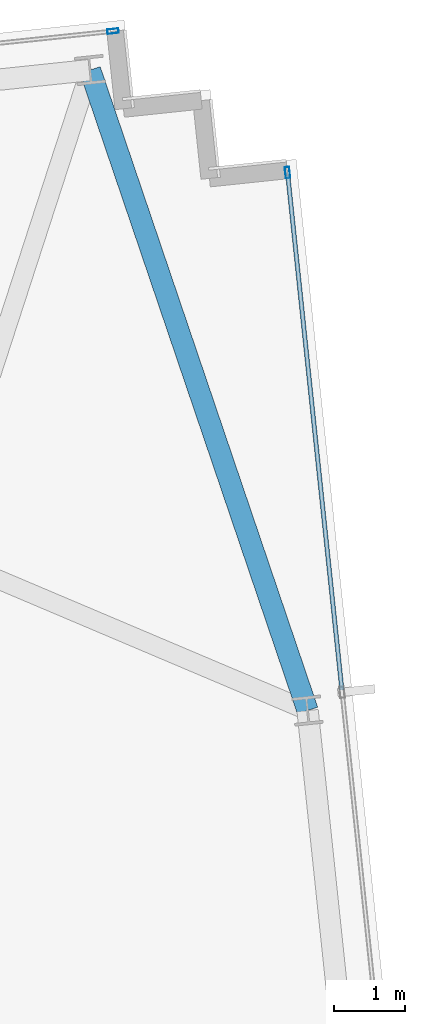
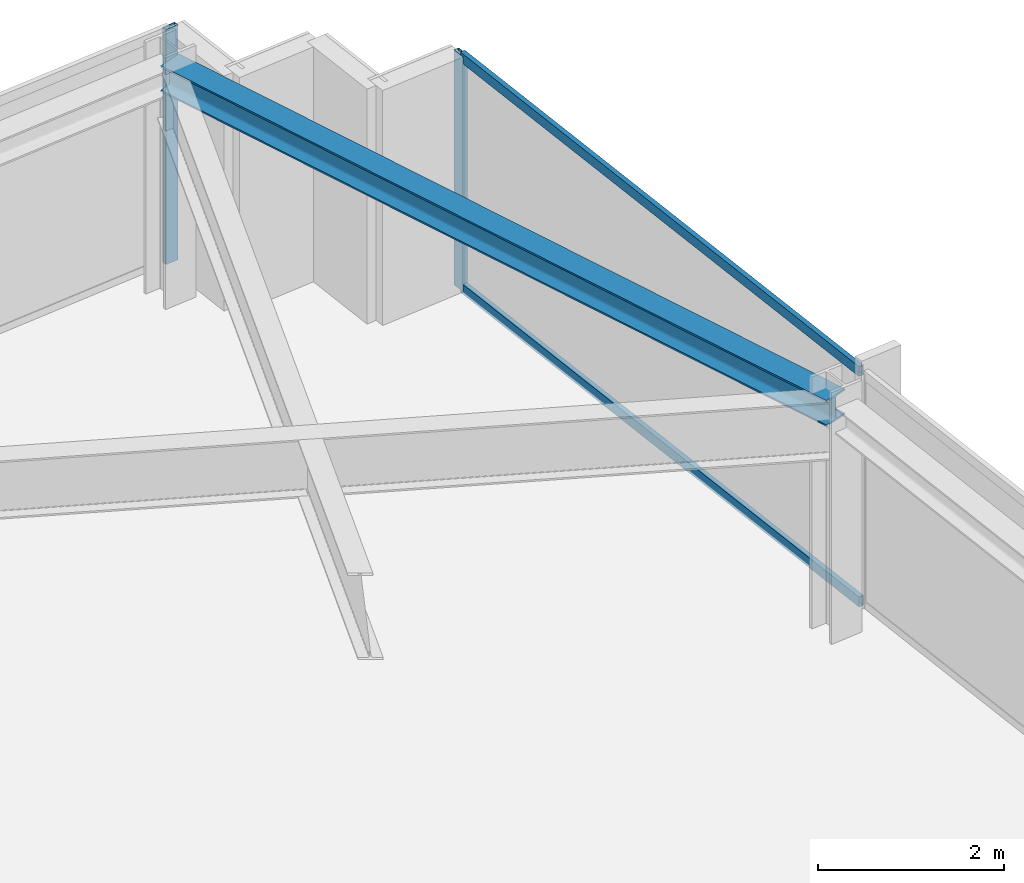
# One storey, part 25 of 33: 4 members, 1 beam, 2 elements without a shape of their own.
"""IFC4 building model written with IfcOpenShell, lengths in metres."""

import ifcopenshell
import ifcopenshell.guid

model = None  # the IFC model being written
_history = None  # IfcOwnerHistory: only IFC2X3 demands one
_inside = {}  # id of a spatial element -> (the spatial element, [elements in it])
_under = {}  # id of a project, library or spatial element -> (it, [spatial elements below it])
_declared = {}  # id of a project -> (the project, [libraries it declares])
_typed = {}  # id of a type object -> (the type object, [elements of that type])
_made_of = {}  # id of a material, layer set ... -> (it, [elements and type objects made of it])


def new_model(schema):
    """Start an empty IFC model of exactly this schema.

    Asked for "IFC4X3", IfcOpenShell would pick the latest addendum, in which some entities
    have other attributes; the version numbers below select the first issue.
    IFC2X3 requires an IfcOwnerHistory on every rooted entity: one is made here for all.
    """
    global model, _history
    if schema == "IFC4X3":
        model = ifcopenshell.file(schema_version=(4, 3, 0, 0))
    else:
        model = ifcopenshell.file(schema=schema)
    _inside.clear()
    _under.clear()
    _declared.clear()
    _typed.clear()
    _made_of.clear()
    _history = None
    if model.schema == "IFC2X3":
        org = make("IfcOrganization", Name="unknown")
        user = make(
            "IfcPersonAndOrganization",
            ThePerson=make("IfcPerson", FamilyName="unknown"),
            TheOrganization=org,
        )
        app = make(
            "IfcApplication",
            ApplicationDeveloper=org,
            Version="unknown",
            ApplicationFullName="unknown",
            ApplicationIdentifier="unknown",
        )
        _history = make(
            "IfcOwnerHistory",
            OwningUser=user,
            OwningApplication=app,
            ChangeAction="ADDED",
            CreationDate=0,
        )
    return model


def make(cls, **values):
    """One entity of the class cls with the attributes given. An attribute that is None is left unset."""
    return model.create_entity(
        cls, **{name: value for name, value in values.items() if value is not None}
    )


def rooted(cls, **values):
    """An entity with a GlobalId (a new one), such as an element, a storey or a relation."""
    return make(cls, GlobalId=ifcopenshell.guid.new(), OwnerHistory=_history, **values)


def si_unit(unit_type, name, prefix=None):
    """IfcSIUnit, for example si_unit("LENGTHUNIT", "METRE", prefix="MILLI")."""
    return make("IfcSIUnit", UnitType=unit_type, Prefix=prefix, Name=name)


def assignment(units):
    """IfcUnitAssignment: the units of a project."""
    return None if units is None else make("IfcUnitAssignment", Units=units)


def point(xyz):
    """IfcCartesianPoint."""
    return None if xyz is None else make("IfcCartesianPoint", Coordinates=xyz)


def direction(xyz):
    """IfcDirection."""
    return None if xyz is None else make("IfcDirection", DirectionRatios=xyz)


def frame(location, z_axis=None, x_axis=None):
    """IfcAxis2Placement3D, a coordinate frame: its origin and axes. An axis left out is left unset."""
    return make(
        "IfcAxis2Placement3D",
        Location=point(location),
        Axis=direction(z_axis),
        RefDirection=direction(x_axis),
    )


def frame_2d(location, x_axis=None):
    """IfcAxis2Placement2D, a coordinate frame in the plane: its origin and x axis."""
    return make(
        "IfcAxis2Placement2D", Location=point(location), RefDirection=direction(x_axis)
    )


def origin():
    """The frame at (0, 0, 0) with its axes left unset."""
    return frame((0.0, 0.0, 0.0))


def origin_2d():
    """The frame at (0, 0) in the plane with its x axis left unset."""
    return frame_2d((0.0, 0.0))


def place(relative_to, where):
    """IfcLocalPlacement: puts the frame where relative to a parent placement (None: the world)."""
    return make(
        "IfcLocalPlacement", PlacementRelTo=relative_to, RelativePlacement=where
    )


def context(
    kind, dimensions, precision=None, world=None, true_north=None, identifier=None
):
    """IfcGeometricRepresentationContext, for example the 3D "Model" context."""
    return make(
        "IfcGeometricRepresentationContext",
        ContextIdentifier=identifier,
        ContextType=kind,
        CoordinateSpaceDimension=dimensions,
        Precision=precision,
        WorldCoordinateSystem=world,
        TrueNorth=true_north,
    )


def subcontext(parent, identifier, kind, view, scale=None):
    """IfcGeometricRepresentationSubContext, for example "Body" below "Model"."""
    return make(
        "IfcGeometricRepresentationSubContext",
        ContextIdentifier=identifier,
        ContextType=kind,
        ParentContext=parent,
        TargetScale=scale,
        TargetView=view,
    )


def project(units=None, contexts=None):
    """IfcProject with its units and contexts."""
    return rooted(
        "IfcProject",
        Name="project",
        RepresentationContexts=contexts,
        UnitsInContext=assignment(units),
    )


def spatial(cls, under=None, at=None, **own):
    """A site, building, storey or space (cls), placed at a placement, below another one or the project."""
    s = rooted(cls, ObjectPlacement=at, **own)
    if under is not None:
        _under.setdefault(under.id(), (under, []))[1].append(s)
    return s


def profile(cls, at=None, kind="AREA", **sizes):
    """A parametric profile (cls). Its sizes go by their IFC names, for example OverallWidth=200.0."""
    return make(cls, ProfileType=kind, Position=at, **sizes)


def hollow_rectangle(**sizes):
    """IfcRectangleHollowProfileDef."""
    return profile("IfcRectangleHollowProfileDef", **sizes)


def i_section(**sizes):
    """IfcIShapeProfileDef."""
    return profile("IfcIShapeProfileDef", **sizes)


def extrude(swept, where, along, depth):
    """IfcExtrudedAreaSolid: the profile swept, set in the frame where, extruded along a direction by depth."""
    return make(
        "IfcExtrudedAreaSolid",
        SweptArea=swept,
        Position=where,
        ExtrudedDirection=direction(along),
        Depth=depth,
    )


def shape(context_of_items, identifier, shape_type, items):
    """IfcShapeRepresentation: the items that make up one representation, for example the "Body"."""
    return make(
        "IfcShapeRepresentation",
        ContextOfItems=context_of_items,
        RepresentationIdentifier=identifier,
        RepresentationType=shape_type,
        Items=items,
    )


def material(Name=None, Category=None):
    """IfcMaterial."""
    return make("IfcMaterial", Name=Name, Category=Category)


def material_profile(
    of_material, cross_section, Name=None, Category=None, Priority=None
):
    """IfcMaterialProfile: a cross section and its material."""
    return make(
        "IfcMaterialProfile",
        Name=Name,
        Material=of_material,
        Profile=cross_section,
        Priority=Priority,
        Category=Category,
    )


def profile_set(profiles, Name=None, composite=None):
    """IfcMaterialProfileSet."""
    return make(
        "IfcMaterialProfileSet",
        Name=Name,
        MaterialProfiles=profiles,
        CompositeProfile=composite,
    )


def made_of(thing, what):
    """Note that an element or type object is made of a material, layer set ...; save() writes the relation."""
    if what is not None:
        _made_of.setdefault(what.id(), (what, []))[1].append(thing)
    return thing


def type_object(cls, material=None, **own):
    """A type object (cls), such as IfcWallType, which elements share."""
    return made_of(rooted(cls, **own), material)


def element(
    cls,
    number,
    at=None,
    inside=None,
    cuts=None,
    type_object=None,
    material=None,
    context=None,
    identifier="Body",
    shape_type=None,
    held_by="IfcProductDefinitionShape",
    body=None,
    shapes=None,
    **own,
):
    """One element of the class cls, such as IfcWall. Its Tag is "e" and its number.

    at: its placement. inside: the storey or other place that contains it. cuts: it is an
    opening in that element (IfcRelVoidsElement). A single representation is given by context,
    identifier, shape_type and body (its items); several are given by shapes. held_by: the class
    of the entity that holds the representations. save() writes the other relations.
    """
    e = rooted(cls, Tag="e%d" % number, ObjectPlacement=at, **own)
    if body is not None:
        shapes = [shape(context, identifier, shape_type, body)]
    if shapes is not None:
        e.Representation = make(held_by, Representations=shapes)
    if inside is not None:
        _inside.setdefault(inside.id(), (inside, []))[1].append(e)
    if cuts is not None:
        rooted(
            "IfcRelVoidsElement", RelatingBuildingElement=cuts, RelatedOpeningElement=e
        )
    if type_object is not None:
        _typed.setdefault(type_object.id(), (type_object, []))[1].append(e)
    return made_of(e, material)


def aggregate(whole, parts):
    """IfcRelAggregates: a whole, such as a stair, and the parts it consists of."""
    return rooted("IfcRelAggregates", RelatingObject=whole, RelatedObjects=parts)


def save(model, path):
    """Write the relations noted so far, then the file.

    IfcRelAggregates (storeys below a building ...), IfcRelContainedInSpatialStructure (elements
    in a storey), IfcRelDefinesByType, IfcRelAssociatesMaterial and IfcRelDeclares: one each for
    every whole, place, type object, material and project.
    """
    for whole, parts in _under.values():
        aggregate(whole, parts)
    for where, things in _inside.values():
        rooted(
            "IfcRelContainedInSpatialStructure",
            RelatedElements=things,
            RelatingStructure=where,
        )
    for kind, things in _typed.values():
        rooted("IfcRelDefinesByType", RelatedObjects=things, RelatingType=kind)
    for what, things in _made_of.values():
        rooted("IfcRelAssociatesMaterial", RelatedObjects=things, RelatingMaterial=what)
    for by, libraries in _declared.values():
        rooted("IfcRelDeclares", RelatingContext=by, RelatedDefinitions=libraries)
    model.write(path)


model = new_model("IFC4")

# Units and contexts
model_context = context("Model", 3, precision=1e-05, world=origin(), true_north=direction((0.0, 1.0)))
body_context = subcontext(model_context, "Body", "Model", "MODEL_VIEW")
ifc_project = project(units=[si_unit("LENGTHUNIT", "METRE"), si_unit("AREAUNIT", "SQUARE_METRE"), si_unit("VOLUMEUNIT", "CUBIC_METRE"), si_unit("PLANEANGLEUNIT", "RADIAN"), si_unit("MASSUNIT", "GRAM", prefix="KILO")], contexts=[model_context])

# Site, building, storey
site_placement = place(None, origin())
site = spatial("IfcSite", under=ifc_project, at=site_placement, CompositionType="ELEMENT")
building_placement = place(site_placement, origin())
building = spatial("IfcBuilding", under=site, at=building_placement, Name="Yelkora Congress Tower", CompositionType="ELEMENT")
storey_placement = place(building_placement, frame((0.0, 0.0, 227.60009765625)))
storey = spatial("IfcBuildingStorey", under=building, at=storey_placement, Name="L63", CompositionType="ELEMENT", Elevation=227.60009765625)

# Beam
ifc_material_1 = material(Name="Steel S355J2", Category="steel")
ifc_material_profile_1 = material_profile(ifc_material_1, i_section(OverallWidth=0.300048828125, OverallDepth=0.340087890625, WebThickness=0.011962890625, FlangeThickness=0.021484375, FilletRadius=0.027099609375, at=origin_2d()), Name="HEB 340")
ifc_profile_set_1 = profile_set([ifc_material_profile_1], Name="Steel S355J2")
beam_type = type_object("IfcBeamType", Name="BM-SPAN-HEB340", PredefinedType="SPANDREL", material=ifc_profile_set_1)
beam_placement = place(storey_placement, frame((68.85400390625, 41.431884765625, 2.909912109375), z_axis=(-0.321575477611, 0.946883948644, 0.0), x_axis=(-0.946883948644, -0.321575477611, 0.0)))
element("IfcBeam", 1, at=beam_placement, inside=storey, type_object=beam_type, Name="L63 Perimeter Beam 12", PredefinedType="SPANDREL", context=body_context, shape_type="SweptSolid", body=[
    extrude(i_section(OverallWidth=0.300048828125, OverallDepth=0.340087890625, WebThickness=0.011962890625, FlangeThickness=0.021484375, FilletRadius=0.027099609375, at=origin_2d()), origin(), (0.0, 0.0, 1.0), 9.509765625),
])

# Curtain wall, member
ifc_material_2 = material(Name="Anodised aluminium and insulated glass", Category="aluminium")
curtain_wall_type = type_object("IfcCurtainWallType", Name="CW-SYS-B4", PredefinedType="NOTDEFINED", material=ifc_material_2)
curtain_wall_1_placement = place(storey_placement, origin())
curtain_wall_1 = element("IfcCurtainWall", 2, at=curtain_wall_1_placement, inside=storey, type_object=curtain_wall_type, Name="L63 Unitised Curtain Wall 10 (3)", PredefinedType="NOTDEFINED")
ifc_material_3 = material(Name="Anodised aluminium 6063-T6", Category="aluminium")
ifc_material_profile_2 = material_profile(ifc_material_3, hollow_rectangle(XDim=0.06494140625, YDim=0.159912109375, WallThickness=0.00390625, at=origin_2d()), Name="ALU 65x160x4")
ifc_profile_set_2 = profile_set([ifc_material_profile_2], Name="Anodised aluminium 6063-T6")
member_type_1 = type_object("IfcMemberType", Name="MEM-ML-B4", PredefinedType="MULLION", material=ifc_profile_set_2)
member_1_placement = place(storey_placement, frame((66.1181640625, 50.983154296875, 0.0), z_axis=(0.0, 0.0, 1.0), x_axis=(-0.104527724021, 0.994521973066, 0.0)))
member_1 = element("IfcMember", 3, at=member_1_placement, type_object=member_type_1, Name="CW-B4 mullion 7", PredefinedType="MULLION", context=body_context, shape_type="SweptSolid", body=[
    extrude(hollow_rectangle(XDim=0.06494140625, YDim=0.159912109375, WallThickness=0.00390625, at=origin_2d()), origin(), (0.0, 0.0, 1.0), 3.079833984375),
])
aggregate(curtain_wall_1, [member_1])

# Curtain wall, members
curtain_wall_2_placement = place(storey_placement, origin())
curtain_wall_2 = element("IfcCurtainWall", 4, at=curtain_wall_2_placement, inside=storey, type_object=curtain_wall_type, Name="L63 Unitised Curtain Wall 15", PredefinedType="NOTDEFINED")
member_2_placement = place(storey_placement, frame((68.57177734375, 48.996337890625, 0.0), z_axis=(0.0, 0.0, 1.0), x_axis=(0.994522182968, 0.104525726898, 0.0)))
member_2 = element("IfcMember", 5, at=member_2_placement, type_object=member_type_1, Name="CW-B4 mullion 1", PredefinedType="MULLION", context=body_context, shape_type="SweptSolid", body=[
    extrude(hollow_rectangle(XDim=0.06494140625, YDim=0.159912109375, WallThickness=0.00390625, at=origin_2d()), origin(), (0.0, 0.0, 1.0), 3.079833984375),
])
ifc_material_profile_3 = material_profile(ifc_material_3, hollow_rectangle(XDim=0.06005859375, YDim=0.1298828125, WallThickness=0.00390625, at=origin_2d()), Name="ALU 60x130x4")
ifc_profile_set_3 = profile_set([ifc_material_profile_3], Name="Anodised aluminium 6063-T6")
member_type_2 = type_object("IfcMemberType", Name="MEM-TR-B4", PredefinedType="USERDEFINED", material=ifc_profile_set_3)
member_3_placement = place(storey_placement, frame((68.5751953125, 48.9638671875, 0.02978515625), z_axis=(0.104531210832, -0.994521606584, 0.0), x_axis=(0.994521606584, 0.104531210832, 0.0)))
member_3 = element("IfcMember", 6, at=member_3_placement, type_object=member_type_2, Name="CW-B4 transom 1.1", ObjectType="TRANSOM", PredefinedType="USERDEFINED", context=body_context, shape_type="SweptSolid", body=[
    extrude(hollow_rectangle(XDim=0.06005859375, YDim=0.1298828125, WallThickness=0.00390625, at=origin_2d()), origin(), (0.0, 0.0, 1.0), 7.2822265625),
])
member_4_placement = place(storey_placement, frame((68.5751953125, 48.9638671875, 3.0498046875), z_axis=(0.104531210832, -0.994521606584, 0.0), x_axis=(0.994521606584, 0.104531210832, 0.0)))
member_4 = element("IfcMember", 7, at=member_4_placement, type_object=member_type_2, Name="CW-B4 transom 1.2", ObjectType="TRANSOM", PredefinedType="USERDEFINED", context=body_context, shape_type="SweptSolid", body=[
    extrude(hollow_rectangle(XDim=0.06005859375, YDim=0.1298828125, WallThickness=0.00390625, at=origin_2d()), origin(), (0.0, 0.0, 1.0), 7.2822265625),
])
aggregate(curtain_wall_2, [member_2, member_3, member_4])

save(model, "model.ifc")
